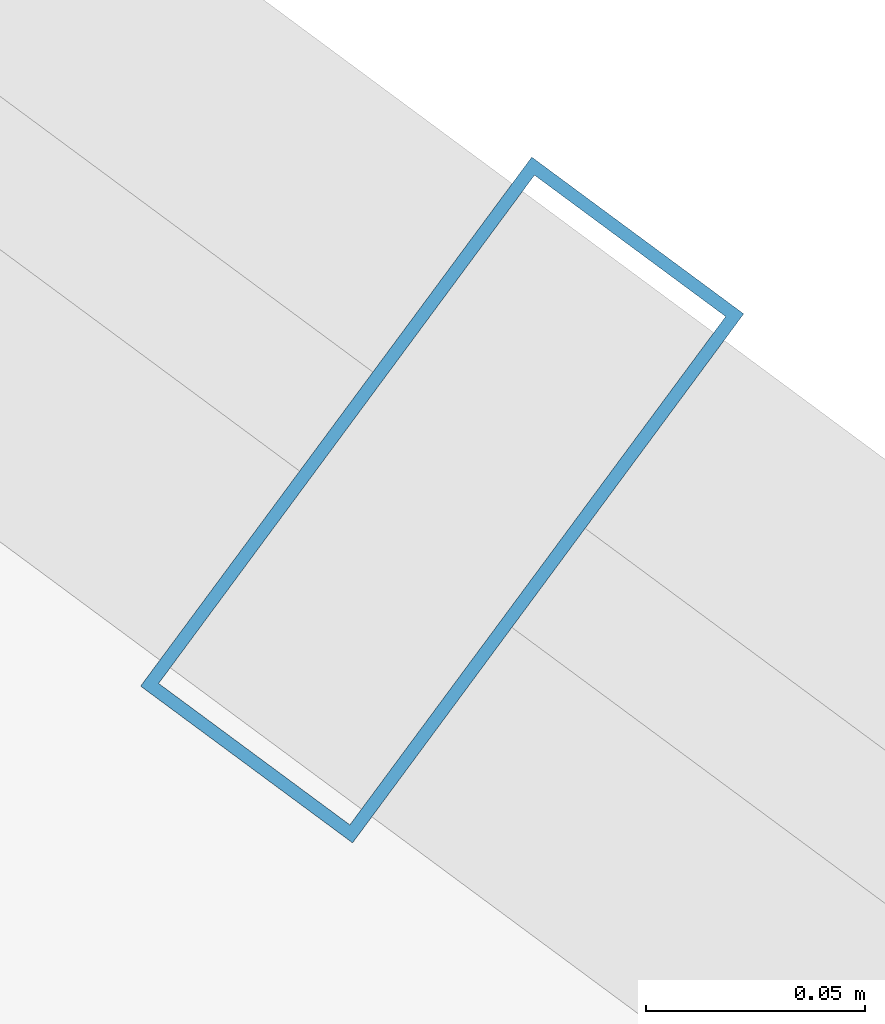
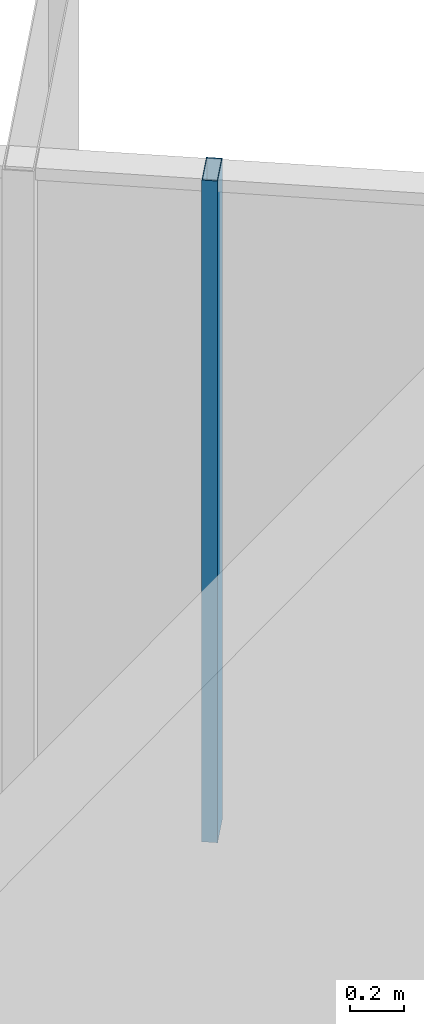
# One storey, part 18 of 30: 1 member, 1 element without a shape of its own.
"""IFC4 building model written with IfcOpenShell, lengths in metres."""

from ifc_helpers import new_model, si_unit, direction, frame, origin, origin_2d, place, context, subcontext, project, spatial, hollow_rectangle, extrude, source, transform, mapped, material, layer, layer_set, material_profile, profile_set, type_object, element, aggregate, save


model = new_model("IFC4")

# Units and contexts
model_context = context("Model", 3, precision=1e-05, world=origin(), true_north=direction((0.0, 1.0)))
body_context = subcontext(model_context, "Body", "Model", "MODEL_VIEW")
ifc_project = project(units=[si_unit("LENGTHUNIT", "METRE"), si_unit("AREAUNIT", "SQUARE_METRE"), si_unit("VOLUMEUNIT", "CUBIC_METRE"), si_unit("PLANEANGLEUNIT", "RADIAN"), si_unit("MASSUNIT", "GRAM", prefix="KILO")], contexts=[model_context])

# Site, building, storey
site_placement = place(None, origin())
site = spatial("IfcSite", under=ifc_project, at=site_placement, CompositionType="ELEMENT")
building_placement = place(site_placement, origin())
building = spatial("IfcBuilding", under=site, at=building_placement, Name="Veraguas Prism Commons", CompositionType="ELEMENT")
storey_placement = place(building_placement, frame((0.0, 0.0, 230.050048828125)))
storey = spatial("IfcBuildingStorey", under=building, at=storey_placement, Name="L65", CompositionType="ELEMENT", Elevation=230.050048828125)

# Curtain wall, member
ifc_material = material(Name="Anodised aluminium EN AW-6063 T6", Category="aluminium")
ifc_layer = layer(ifc_material, 0.14990234375, Name="Unitised Flush Curtain Wall Zone 4", Category="aluminium")
ifc_layer_set = layer_set([ifc_layer], Name="Anodised aluminium EN AW-6063 T6")
curtain_wall_type = type_object("IfcCurtainWallType", Name="Unitised Flush Curtain Wall Zone 4", PredefinedType="NOTDEFINED", material=ifc_layer_set)
curtain_wall_placement = place(storey_placement, origin())
curtain_wall = element("IfcCurtainWall", 1, at=curtain_wall_placement, inside=storey, type_object=curtain_wall_type, Name="Tower Facade Curtain Wall L65-F1", PredefinedType="NOTDEFINED")
ifc_material_profile = material_profile(ifc_material, hollow_rectangle(XDim=0.06005859375, YDim=0.14990234375, WallThickness=0.0029296875, at=origin_2d()), Name="AL60X150X3")
ifc_profile_set = profile_set([ifc_material_profile], Name="Anodised aluminium EN AW-6063 T6")
member_type = type_object("IfcMemberType", Name="Curtain Wall Mullion Upper AL 60x150x3", PredefinedType="MULLION", material=ifc_profile_set)
shared_shape = source(origin(), body_context, "Body", "SweptSolid", [
    extrude(hollow_rectangle(XDim=0.06005859375, YDim=0.14990234375, WallThickness=0.0029296875, at=origin_2d()), origin(), (0.0, 0.0, 1.0), 3.014892578125),
])
member_placement = place(storey_placement, frame((36.751220703125, 35.03564453125, 0.0), z_axis=(0.0, 0.0, 1.0), x_axis=(-0.804067556966, 0.59453794146, 0.0)))
member = element("IfcMember", 2, at=member_placement, type_object=member_type, Name="CW-Z4 Mullion 2", PredefinedType="MULLION", context=body_context, shape_type="MappedRepresentation", body=[
    mapped(shared_shape, transform((0.0, 0.0, 0.0), scale=1.0)),
])
aggregate(curtain_wall, [member])

save(model, "model.ifc")
